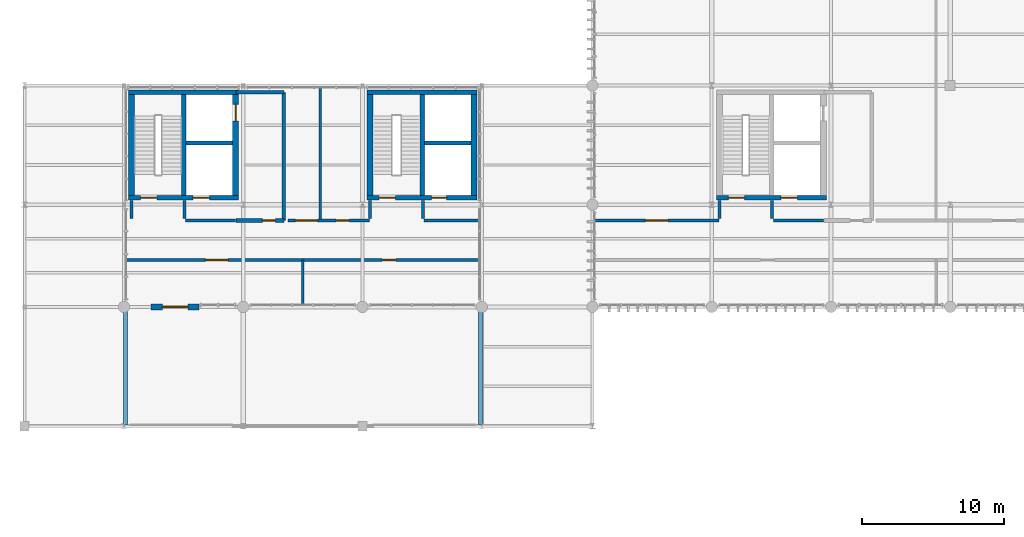
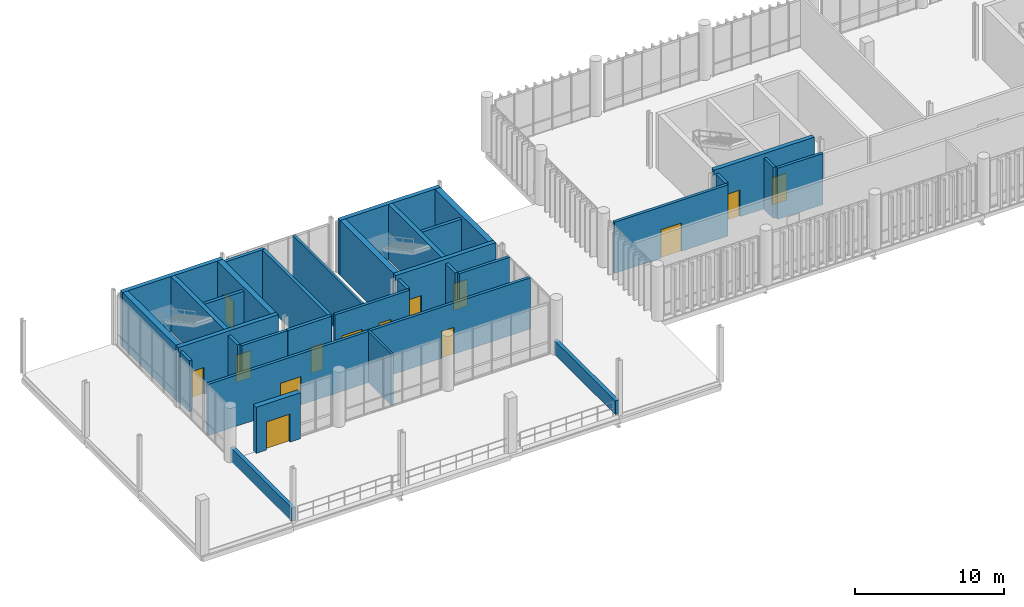
# One storey, part 57 of 68: 33 walls, 14 doors, 14 openings.
"""IFC4 building model written with IfcOpenShell, lengths in metres."""

from ifc_helpers import new_model, si_unit, direction, frame, frame_2d, origin_with_axes, place, context, subcontext, project, spatial, rectangle, extrude, material, layer, layer_set, type_object, element, fill, save


model = new_model("IFC4")

# Units and contexts
model_context = context("Model", 3, precision=1e-05, world=origin_with_axes(), true_north=direction((0.0, 1.0)))
body_context = subcontext(model_context, "Body", "Model", "MODEL_VIEW")
ifc_project = project(units=[si_unit("LENGTHUNIT", "METRE"), si_unit("AREAUNIT", "SQUARE_METRE"), si_unit("VOLUMEUNIT", "CUBIC_METRE"), si_unit("PLANEANGLEUNIT", "RADIAN"), si_unit("MASSUNIT", "GRAM", prefix="KILO"), si_unit("THERMODYNAMICTEMPERATUREUNIT", "KELVIN")], contexts=[model_context])

# Site, building, storey
site_placement = place(None, origin_with_axes())
site = spatial("IfcSite", under=ifc_project, at=site_placement, CompositionType="ELEMENT")
building_placement = place(site_placement, origin_with_axes())
building = spatial("IfcBuilding", under=site, at=building_placement, Name="Montbau Bow Law Courts", CompositionType="ELEMENT")
storey_placement = place(building_placement, frame((0.0, 0.0, 20.4), z_axis=(0.0, 0.0, 1.0), x_axis=(1.0, 0.0, 0.0)))
storey = spatial("IfcBuildingStorey", under=building, at=storey_placement, Name="L04", CompositionType="ELEMENT", Elevation=20.4)

# Wall, opening, door
ifc_material_1 = material(Name="Concrete CSA A23.1 f'c 45 MPa", Category="concrete")
ifc_layer_1 = layer(ifc_material_1, 0.42, Name="Shear Wall", Category="concrete")
ifc_layer_set_1 = layer_set([ifc_layer_1], Name="Concrete CSA A23.1 f'c 45 MPa")
wall_type_1 = type_object("IfcWallType", Name="W-COR-03", PredefinedType="SHEAR", material=ifc_layer_set_1)
wall_1_placement = place(None, frame((21.66, 46.84, 20.4), z_axis=(0.0, 0.0, 1.0), x_axis=(0.0, 1.0, 0.0)))
wall_1 = element("IfcWall", 1, at=wall_1_placement, inside=storey, type_object=wall_type_1, Name="WC-L04-0048:wal_0115", PredefinedType="SHEAR", context=body_context, shape_type="SweptSolid", body=[
    extrude(rectangle(XDim=7.119999999999997, YDim=0.42, at=frame_2d((3.56, 0.0), x_axis=(1.0, 0.0))), origin_with_axes(), (0.0, 0.0, 1.0), 4.5),
])
opening_1_placement = place(None, frame((21.66, 52.69, 20.4), z_axis=(0.0, 0.0, 1.0), x_axis=(0.0, 1.0, 0.0)))
opening_1 = element("IfcOpeningElement", 2, at=opening_1_placement, cuts=wall_1, Name="OP-LD-L04-EL-P2", PredefinedType="OPENING", context=body_context, shape_type="SweptSolid", body=[
    extrude(rectangle(XDim=1.16, YDim=2.2, at=frame_2d((0.0, 1.1), x_axis=(1.0, 0.0))), frame((0.0, 0.22, 0.0), z_axis=(0.0, -1.0, 0.0), x_axis=(1.0, 0.0, 0.0)), (0.0, 0.0, 1.0), 0.44),
])
ifc_material_2 = material(Name="Brushed Stainless Steel Elevator Landing Door", Category="steel")
door_type_1 = type_object("IfcDoorType", Name="LD-PUB-01", OperationType="NOTDEFINED", ParameterTakesPrecedence=False, PredefinedType="DOOR", material=ifc_material_2)
door_1_placement = place(None, frame((21.66, 52.69, 20.4), z_axis=(0.0, 0.0, 1.0), x_axis=(0.0, 1.0, 0.0)))
door_1 = element("IfcDoor", 3, at=door_1_placement, inside=storey, type_object=door_type_1, Name="LD-L04-EL-P2:dor_0059", OperationType="SLIDING_TO_LEFT", OverallHeight=2.2, OverallWidth=1.16, PredefinedType="DOOR", context=body_context, shape_type="SweptSolid", body=[
    extrude(rectangle(XDim=1.16, YDim=2.2, at=frame_2d((0.0, 1.1), x_axis=(1.0, 0.0))), frame((0.0, 0.04, 0.0), z_axis=(0.0, -1.0, 0.0), x_axis=(1.0, 0.0, 0.0)), (0.0, 0.0, 1.0), 0.08),
])
fill(opening_1, door_1)

# Walls
for number, where, z_axis, x_axis, name in (
    (4, (14.34, 53.96, 20.4), (0.0, 0.0, 1.0), (0.0, -1.0, 0.0), "WC-L04-0049:wal_0116"),
    (5, (38.46, 46.84, 20.4), (0.0, 0.0, 1.0), (0.0, 1.0, 0.0), "WC-L04-0114:wal_0181"),
    (6, (31.14, 53.96, 20.4), (0.0, 0.0, 1.0), (0.0, -1.0, 0.0), "WC-L04-0115:wal_0182"),
):
    element("IfcWall", number, at=place(None, frame(where, z_axis=z_axis, x_axis=x_axis)), inside=storey, type_object=wall_type_1, Name=name, PredefinedType="SHEAR", context=body_context, shape_type="SweptSolid", body=[
        extrude(rectangle(XDim=7.119999999999997, YDim=0.42, at=frame_2d((3.56, 0.0), x_axis=(1.0, 0.0))), origin_with_axes(), (0.0, 0.0, 1.0), 4.5),
    ])

# Wall, openings, doors
ifc_layer_2 = layer(ifc_material_1, 0.32, Name="Shear Wall", Category="concrete")
ifc_layer_set_2 = layer_set([ifc_layer_2], Name="Concrete CSA A23.1 f'c 45 MPa")
wall_type_2 = type_object("IfcWallType", Name="W-COR-05", PredefinedType="SHEAR", material=ifc_layer_set_2)
wall_2_placement = place(None, frame((14.13, 46.68, 20.4), z_axis=(0.0, 0.0, 1.0), x_axis=(1.0, 0.0, 0.0)))
wall_2 = element("IfcWall", 7, at=wall_2_placement, inside=storey, type_object=wall_type_2, Name="WC-L04-0046:wal_0113", PredefinedType="SHEAR", context=body_context, shape_type="SweptSolid", body=[
    extrude(rectangle(XDim=7.74, YDim=0.32, at=frame_2d((3.87, 0.0), x_axis=(1.0, 0.0))), origin_with_axes(), (0.0, 0.0, 1.0), 4.5),
])
opening_2_placement = place(None, frame((15.55, 46.68, 20.4), z_axis=(0.0, 0.0, 1.0), x_axis=(1.0, 0.0, 0.0)))
opening_2 = element("IfcOpeningElement", 8, at=opening_2_placement, cuts=wall_2, Name="OP-D-L04-ST-P1", PredefinedType="OPENING", context=body_context, shape_type="SweptSolid", body=[
    extrude(rectangle(XDim=1.14, YDim=2.18, at=frame_2d((0.0, 1.09), x_axis=(1.0, 0.0))), frame((0.0, 0.17, 0.0), z_axis=(0.0, -1.0, 0.0), x_axis=(1.0, 0.0, 0.0)), (0.0, 0.0, 1.0), 0.34),
])
opening_3_placement = place(None, frame((19.25, 46.68, 20.4), z_axis=(0.0, 0.0, 1.0), x_axis=(1.0, 0.0, 0.0)))
opening_3 = element("IfcOpeningElement", 9, at=opening_3_placement, cuts=wall_2, Name="OP-LD-L04-EL-P1", PredefinedType="OPENING", context=body_context, shape_type="SweptSolid", body=[
    extrude(rectangle(XDim=1.16, YDim=2.2, at=frame_2d((0.0, 1.1), x_axis=(1.0, 0.0))), frame((0.0, 0.17, 0.0), z_axis=(0.0, -1.0, 0.0), x_axis=(1.0, 0.0, 0.0)), (0.0, 0.0, 1.0), 0.34),
])
ifc_material_3 = material(Name="1.5 h Fire-Rated Hollow-Metal Exit Stair Door", Category="steel")
door_type_2 = type_object("IfcDoorType", Name="D-ST-01", OperationType="NOTDEFINED", ParameterTakesPrecedence=False, PredefinedType="DOOR", material=ifc_material_3)
door_2_placement = place(None, frame((15.55, 46.68, 20.4), z_axis=(0.0, 0.0, 1.0), x_axis=(-1.0, 0.0, 0.0)))
door_2 = element("IfcDoor", 10, at=door_2_placement, inside=storey, type_object=door_type_2, Name="D-L04-ST-P1:dor_0057", OperationType="SINGLE_SWING_RIGHT", OverallHeight=2.18, OverallWidth=1.14, PredefinedType="DOOR", context=body_context, shape_type="SweptSolid", body=[
    extrude(rectangle(XDim=1.14, YDim=2.18, at=frame_2d((0.0, 1.09), x_axis=(1.0, 0.0))), frame((0.0, 0.04, 0.0), z_axis=(0.0, -1.0, 0.0), x_axis=(1.0, 0.0, 0.0)), (0.0, 0.0, 1.0), 0.08),
])
fill(opening_2, door_2)
door_3_placement = place(None, frame((19.25, 46.68, 20.4), z_axis=(0.0, 0.0, 1.0), x_axis=(-1.0, 0.0, 0.0)))
door_3 = element("IfcDoor", 11, at=door_3_placement, inside=storey, type_object=door_type_1, Name="LD-L04-EL-P1:dor_0058", OperationType="SLIDING_TO_LEFT", OverallHeight=2.2, OverallWidth=1.16, PredefinedType="DOOR", context=body_context, shape_type="SweptSolid", body=[
    extrude(rectangle(XDim=1.16, YDim=2.2, at=frame_2d((0.0, 1.1), x_axis=(1.0, 0.0))), frame((0.0, 0.04, 0.0), z_axis=(0.0, -1.0, 0.0), x_axis=(1.0, 0.0, 0.0)), (0.0, 0.0, 1.0), 0.08),
])
fill(opening_3, door_3)

# Walls
wall_3_placement = place(None, frame((21.87, 54.12, 20.4), z_axis=(0.0, 0.0, 1.0), x_axis=(-1.0, 0.0, 0.0)))
element("IfcWall", 12, at=wall_3_placement, inside=storey, type_object=wall_type_2, Name="WC-L04-0047:wal_0114", PredefinedType="SHEAR", context=body_context, shape_type="SweptSolid", body=[
    extrude(rectangle(XDim=7.74, YDim=0.32, at=frame_2d((3.87, 0.0), x_axis=(1.0, 0.0))), origin_with_axes(), (0.0, 0.0, 1.0), 4.5),
])
wall_4_placement = place(None, frame((18.02, 46.84, 20.4), z_axis=(0.0, 0.0, 1.0), x_axis=(0.0, 1.0, 0.0)))
element("IfcWall", 13, at=wall_4_placement, inside=storey, type_object=wall_type_2, Name="WS-L04-0050:wal_0117", PredefinedType="SHEAR", context=body_context, shape_type="SweptSolid", body=[
    extrude(rectangle(XDim=7.119999999999997, YDim=0.32, at=frame_2d((3.56, 0.0), x_axis=(1.0, 0.0))), origin_with_axes(), (0.0, 0.0, 1.0), 4.5),
])

# Wall, openings, doors
wall_5_placement = place(None, frame((30.93, 46.68, 20.4), z_axis=(0.0, 0.0, 1.0), x_axis=(1.0, 0.0, 0.0)))
wall_5 = element("IfcWall", 14, at=wall_5_placement, inside=storey, type_object=wall_type_2, Name="WC-L04-0112:wal_0179", PredefinedType="SHEAR", context=body_context, shape_type="SweptSolid", body=[
    extrude(rectangle(XDim=7.740000000000002, YDim=0.32, at=frame_2d((3.87, 0.0), x_axis=(1.0, 0.0))), origin_with_axes(), (0.0, 0.0, 1.0), 4.5),
])
opening_4_placement = place(None, frame((32.35, 46.68, 20.4), z_axis=(0.0, 0.0, 1.0), x_axis=(1.0, 0.0, 0.0)))
opening_4 = element("IfcOpeningElement", 15, at=opening_4_placement, cuts=wall_5, Name="OP-D-L04-ST-J1", PredefinedType="OPENING", context=body_context, shape_type="SweptSolid", body=[
    extrude(rectangle(XDim=1.14, YDim=2.18, at=frame_2d((0.0, 1.09), x_axis=(1.0, 0.0))), frame((0.0, 0.17, 0.0), z_axis=(0.0, -1.0, 0.0), x_axis=(1.0, 0.0, 0.0)), (0.0, 0.0, 1.0), 0.34),
])
opening_5_placement = place(None, frame((36.0, 46.68, 20.4), z_axis=(0.0, 0.0, 1.0), x_axis=(1.0, 0.0, 0.0)))
opening_5 = element("IfcOpeningElement", 16, at=opening_5_placement, cuts=wall_5, Name="OP-LD-L04-EL-J1", PredefinedType="OPENING", context=body_context, shape_type="SweptSolid", body=[
    extrude(rectangle(XDim=1.06, YDim=2.16, at=frame_2d((0.0, 1.08), x_axis=(1.0, 0.0))), frame((0.0, 0.17, 0.0), z_axis=(0.0, -1.0, 0.0), x_axis=(1.0, 0.0, 0.0)), (0.0, 0.0, 1.0), 0.34),
])
door_4_placement = place(None, frame((32.35, 46.68, 20.4), z_axis=(0.0, 0.0, 1.0), x_axis=(-1.0, 0.0, 0.0)))
door_4 = element("IfcDoor", 17, at=door_4_placement, inside=storey, type_object=door_type_2, Name="D-L04-ST-J1:dor_0083", OperationType="SINGLE_SWING_RIGHT", OverallHeight=2.18, OverallWidth=1.14, PredefinedType="DOOR", context=body_context, shape_type="SweptSolid", body=[
    extrude(rectangle(XDim=1.14, YDim=2.18, at=frame_2d((0.0, 1.09), x_axis=(1.0, 0.0))), frame((0.0, 0.04, 0.0), z_axis=(0.0, -1.0, 0.0), x_axis=(1.0, 0.0, 0.0)), (0.0, 0.0, 1.0), 0.08),
])
fill(opening_4, door_4)
ifc_material_4 = material(Name="Bronze-Clad Judicial Elevator Landing Door", Category="steel")
door_type_3 = type_object("IfcDoorType", Name="LD-JUD-01", OperationType="NOTDEFINED", ParameterTakesPrecedence=False, PredefinedType="DOOR", material=ifc_material_4)
door_5_placement = place(None, frame((36.0, 46.68, 20.4), z_axis=(0.0, 0.0, 1.0), x_axis=(-1.0, 0.0, 0.0)))
door_5 = element("IfcDoor", 18, at=door_5_placement, inside=storey, type_object=door_type_3, Name="LD-L04-EL-J1:dor_0084", OperationType="SLIDING_TO_LEFT", OverallHeight=2.16, OverallWidth=1.06, PredefinedType="DOOR", context=body_context, shape_type="SweptSolid", body=[
    extrude(rectangle(XDim=1.06, YDim=2.16, at=frame_2d((0.0, 1.08), x_axis=(1.0, 0.0))), frame((0.0, 0.04, 0.0), z_axis=(0.0, -1.0, 0.0), x_axis=(1.0, 0.0, 0.0)), (0.0, 0.0, 1.0), 0.08),
])
fill(opening_5, door_5)

# Walls
wall_6_placement = place(None, frame((38.67, 54.12, 20.4), z_axis=(0.0, 0.0, 1.0), x_axis=(-1.0, 0.0, 0.0)))
element("IfcWall", 19, at=wall_6_placement, inside=storey, type_object=wall_type_2, Name="WC-L04-0113:wal_0180", PredefinedType="SHEAR", context=body_context, shape_type="SweptSolid", body=[
    extrude(rectangle(XDim=7.740000000000002, YDim=0.32, at=frame_2d((3.87, 0.0), x_axis=(1.0, 0.0))), origin_with_axes(), (0.0, 0.0, 1.0), 4.5),
])
wall_7_placement = place(None, frame((34.82, 46.84, 20.4), z_axis=(0.0, 0.0, 1.0), x_axis=(0.0, 1.0, 0.0)))
element("IfcWall", 20, at=wall_7_placement, inside=storey, type_object=wall_type_2, Name="WS-L04-0116:wal_0183", PredefinedType="SHEAR", context=body_context, shape_type="SweptSolid", body=[
    extrude(rectangle(XDim=7.119999999999997, YDim=0.32, at=frame_2d((3.56, 0.0), x_axis=(1.0, 0.0))), origin_with_axes(), (0.0, 0.0, 1.0), 4.5),
])

# Wall, openings, doors
wall_8_placement = place(None, frame((55.53, 46.68, 20.4), z_axis=(0.0, 0.0, 1.0), x_axis=(1.0, 0.0, 0.0)))
wall_8 = element("IfcWall", 21, at=wall_8_placement, inside=storey, type_object=wall_type_2, Name="WC-L04-0178:wal_0245", PredefinedType="SHEAR", context=body_context, shape_type="SweptSolid", body=[
    extrude(rectangle(XDim=7.740000000000002, YDim=0.32, at=frame_2d((3.87, 0.0), x_axis=(1.0, 0.0))), origin_with_axes(), (0.0, 0.0, 1.0), 4.5),
])
opening_6_placement = place(None, frame((56.95, 46.68, 20.4), z_axis=(0.0, 0.0, 1.0), x_axis=(1.0, 0.0, 0.0)))
opening_6 = element("IfcOpeningElement", 22, at=opening_6_placement, cuts=wall_8, Name="OP-D-L04-ST-P4", PredefinedType="OPENING", context=body_context, shape_type="SweptSolid", body=[
    extrude(rectangle(XDim=1.14, YDim=2.18, at=frame_2d((0.0, 1.09), x_axis=(1.0, 0.0))), frame((0.0, 0.17, 0.0), z_axis=(0.0, -1.0, 0.0), x_axis=(1.0, 0.0, 0.0)), (0.0, 0.0, 1.0), 0.34),
])
opening_7_placement = place(None, frame((60.65, 46.68, 20.4), z_axis=(0.0, 0.0, 1.0), x_axis=(1.0, 0.0, 0.0)))
opening_7 = element("IfcOpeningElement", 23, at=opening_7_placement, cuts=wall_8, Name="OP-LD-L04-EL-P3", PredefinedType="OPENING", context=body_context, shape_type="SweptSolid", body=[
    extrude(rectangle(XDim=1.16, YDim=2.2, at=frame_2d((0.0, 1.1), x_axis=(1.0, 0.0))), frame((0.0, 0.17, 0.0), z_axis=(0.0, -1.0, 0.0), x_axis=(1.0, 0.0, 0.0)), (0.0, 0.0, 1.0), 0.34),
])
door_6_placement = place(None, frame((56.95, 46.68, 20.4), z_axis=(0.0, 0.0, 1.0), x_axis=(-1.0, 0.0, 0.0)))
door_6 = element("IfcDoor", 24, at=door_6_placement, inside=storey, type_object=door_type_2, Name="D-L04-ST-P4:dor_0109", OperationType="SINGLE_SWING_RIGHT", OverallHeight=2.18, OverallWidth=1.14, PredefinedType="DOOR", context=body_context, shape_type="SweptSolid", body=[
    extrude(rectangle(XDim=1.14, YDim=2.18, at=frame_2d((0.0, 1.09), x_axis=(1.0, 0.0))), frame((0.0, 0.04, 0.0), z_axis=(0.0, -1.0, 0.0), x_axis=(1.0, 0.0, 0.0)), (0.0, 0.0, 1.0), 0.08),
])
fill(opening_6, door_6)
door_7_placement = place(None, frame((60.65, 46.68, 20.4), z_axis=(0.0, 0.0, 1.0), x_axis=(-1.0, 0.0, 0.0)))
door_7 = element("IfcDoor", 25, at=door_7_placement, inside=storey, type_object=door_type_1, Name="LD-L04-EL-P3:dor_0110", OperationType="SLIDING_TO_LEFT", OverallHeight=2.2, OverallWidth=1.16, PredefinedType="DOOR", context=body_context, shape_type="SweptSolid", body=[
    extrude(rectangle(XDim=1.16, YDim=2.2, at=frame_2d((0.0, 1.1), x_axis=(1.0, 0.0))), frame((0.0, 0.04, 0.0), z_axis=(0.0, -1.0, 0.0), x_axis=(1.0, 0.0, 0.0)), (0.0, 0.0, 1.0), 0.08),
])
fill(opening_7, door_7)

# Wall, opening, door
ifc_material_5 = material(Name="Polychrome Glazed Ceramic Rainscreen Insulated Wall", Category="masonry")
ifc_layer_3 = layer(ifc_material_5, 0.4, Name="Solid Wall", Category="masonry")
ifc_layer_set_3 = layer_set([ifc_layer_3], Name="Polychrome Glazed Ceramic Rainscreen Insulated Wall")
wall_type_3 = type_object("IfcWallType", Name="W-EXT-04", PredefinedType="SOLIDWALL", material=ifc_layer_set_3)
wall_9_placement = place(None, frame((15.7, 39.0, 20.4), z_axis=(0.0, 0.0, 1.0), x_axis=(1.0, 0.0, 0.0)))
wall_9 = element("IfcWall", 26, at=wall_9_placement, inside=storey, type_object=wall_type_3, Name="WE-L04-034:wal_0051", PredefinedType="SOLIDWALL", context=body_context, shape_type="SweptSolid", body=[
    extrude(rectangle(XDim=3.400000000000002, YDim=0.4, at=frame_2d((1.7, 0.0), x_axis=(1.0, 0.0))), origin_with_axes(), (0.0, 0.0, 1.0), 3.764),
])
opening_8_placement = place(None, frame((17.4, 39.0, 20.4), z_axis=(0.0, 0.0, 1.0), x_axis=(1.0, 0.0, 0.0)))
opening_8 = element("IfcOpeningElement", 27, at=opening_8_placement, cuts=wall_9, Name="OP-D-TER-03", PredefinedType="OPENING", context=body_context, shape_type="SweptSolid", body=[
    extrude(rectangle(XDim=1.8, YDim=2.3, at=frame_2d((0.0, 1.15), x_axis=(1.0, 0.0))), frame((0.0, 0.21, 0.0), z_axis=(0.0, -1.0, 0.0), x_axis=(1.0, 0.0, 0.0)), (0.0, 0.0, 1.0), 0.42),
])
ifc_material_6 = material(Name="Thermally Broken Glazed Roof-Garden Double Door", Category="aluminium")
door_type_4 = type_object("IfcDoorType", Name="D-EXT-07", OperationType="NOTDEFINED", ParameterTakesPrecedence=False, PredefinedType="DOOR", material=ifc_material_6)
door_8_placement = place(None, frame((17.4, 39.0, 20.4), z_axis=(0.0, 0.0, 1.0), x_axis=(1.0, 0.0, 0.0)))
door_8 = element("IfcDoor", 28, at=door_8_placement, inside=storey, type_object=door_type_4, Name="D-TER-03:dor_0026", OperationType="DOUBLE_DOOR_SINGLE_SWING", OverallHeight=2.3, OverallWidth=1.8, PredefinedType="DOOR", context=body_context, shape_type="SweptSolid", body=[
    extrude(rectangle(XDim=1.8, YDim=2.3, at=frame_2d((0.0, 1.15), x_axis=(1.0, 0.0))), frame((0.0, 0.04, 0.0), z_axis=(0.0, -1.0, 0.0), x_axis=(1.0, 0.0, 0.0)), (0.0, 0.0, 1.0), 0.08),
])
fill(opening_8, door_8)

# Walls
ifc_material_7 = material(Name="Insulated Terracotta-Coping Terrace Parapet Assembly", Category="masonry")
ifc_layer_4 = layer(ifc_material_7, 0.28, Name="Parapet", Category="masonry")
ifc_layer_set_4 = layer_set([ifc_layer_4], Name="Insulated Terracotta-Coping Terrace Parapet Assembly")
wall_type_4 = type_object("IfcWallType", Name="W-PAR-02", PredefinedType="PARAPET", material=ifc_layer_set_4)
for number, where, z_axis, x_axis, name in (
    (29, (13.9, 30.7, 20.4), (0.0, 0.0, 1.0), (0.0, 1.0, 0.0), "PAR-TER-L04-V2-1:par_0002"),
    (30, (38.9, 38.896, 20.4), (0.0, 0.0, 1.0), (0.0, -1.0, 0.0), "PAR-TER-L04-V2-3:par_0003"),
):
    element("IfcWall", number, at=place(None, frame(where, z_axis=z_axis, x_axis=x_axis)), inside=storey, type_object=wall_type_4, Name=name, PredefinedType="PARAPET", context=body_context, shape_type="SweptSolid", body=[
        extrude(rectangle(XDim=8.196000000000002, YDim=0.28, at=frame_2d((4.098, 0.0), x_axis=(1.0, 0.0))), origin_with_axes(), (0.0, 0.0, 1.0), 1.12),
    ])
ifc_material_8 = material(Name="2 h Shaft and Exit-Passage Fire Separation Partition", Category="gypsum")
ifc_layer_5 = layer(ifc_material_8, 0.25, Name="Partition", Category="gypsum")
ifc_layer_set_5 = layer_set([ifc_layer_5], Name="2 h Shaft and Exit-Passage Fire Separation Partition")
wall_type_5 = type_object("IfcWallType", Name="W-PRT-01", PredefinedType="PARTITIONING", material=ifc_layer_set_5)
wall_10_placement = place(None, frame((18.18, 50.549, 20.4), z_axis=(0.0, 0.0, 1.0), x_axis=(1.0, 0.0, 0.0)))
element("IfcWall", 31, at=wall_10_placement, inside=storey, type_object=wall_type_5, Name="WS-L04-0051:wal_0118", PredefinedType="PARTITIONING", context=body_context, shape_type="SweptSolid", body=[
    extrude(rectangle(XDim=3.2699999999999996, YDim=0.25, at=frame_2d((1.635, 0.0), x_axis=(1.0, 0.0))), origin_with_axes(), (0.0, 0.0, 1.0), 4.18),
])
wall_11_placement = place(None, frame((25.06, 45.09, 20.4), z_axis=(0.0, 0.0, 1.0), x_axis=(0.0, 1.0, 0.0)))
element("IfcWall", 32, at=wall_11_placement, inside=storey, type_object=wall_type_5, Name="WEL-L04-0052:wal_0119", PredefinedType="PARTITIONING", context=body_context, shape_type="SweptSolid", body=[
    extrude(rectangle(XDim=9.029999999999994, YDim=0.25, at=frame_2d((4.515, 0.0), x_axis=(1.0, 0.0))), origin_with_axes(), (0.0, 0.0, 1.0), 4.18),
])
wall_12_placement = place(None, frame((21.7, 54.12, 20.4), z_axis=(0.0, 0.0, 1.0), x_axis=(1.0, 0.0, 0.0)))
element("IfcWall", 33, at=wall_12_placement, inside=storey, type_object=wall_type_5, Name="WEL-L04-0053:wal_0120", PredefinedType="PARTITIONING", context=body_context, shape_type="SweptSolid", body=[
    extrude(rectangle(XDim=3.3599999999999994, YDim=0.25, at=frame_2d((1.68, 0.0), x_axis=(1.0, 0.0))), origin_with_axes(), (0.0, 0.0, 1.0), 4.18),
])

# Wall, opening, door
wall_13_placement = place(None, frame((21.7, 45.09, 20.4), z_axis=(0.0, 0.0, 1.0), x_axis=(1.0, 0.0, 0.0)))
wall_13 = element("IfcWall", 34, at=wall_13_placement, inside=storey, type_object=wall_type_5, Name="WEL-L04-0054:wal_0121", PredefinedType="PARTITIONING", context=body_context, shape_type="SweptSolid", body=[
    extrude(rectangle(XDim=3.3599999999999994, YDim=0.25, at=frame_2d((1.68, 0.0), x_axis=(1.0, 0.0))), origin_with_axes(), (0.0, 0.0, 1.0), 4.18),
])
opening_9_placement = place(None, frame((24.005, 45.09, 20.4), z_axis=(0.0, 0.0, 1.0), x_axis=(1.0, 0.0, 0.0)))
opening_9 = element("IfcOpeningElement", 35, at=opening_9_placement, cuts=wall_13, Name="OP-D-L04-ELB-CORE-W1", PredefinedType="OPENING", context=body_context, shape_type="SweptSolid", body=[
    extrude(rectangle(XDim=0.91, YDim=2.12, at=frame_2d((0.0, 1.06), x_axis=(1.0, 0.0))), frame((0.0, 0.135, 0.0), z_axis=(0.0, -1.0, 0.0), x_axis=(1.0, 0.0, 0.0)), (0.0, 0.0, 1.0), 0.27),
])
ifc_material_9 = material(Name="Public and Judicial Washroom Solid-Core Door", Category="wood")
door_type_5 = type_object("IfcDoorType", Name="D-WC-02", OperationType="NOTDEFINED", ParameterTakesPrecedence=False, PredefinedType="DOOR", material=ifc_material_9)
door_9_placement = place(None, frame((24.005, 45.09, 20.4), z_axis=(0.0, 0.0, 1.0), x_axis=(1.0, 0.0, 0.0)))
door_9 = element("IfcDoor", 36, at=door_9_placement, inside=storey, type_object=door_type_5, Name="D-L04-ELB-CORE-W1:dor_0060", OperationType="SINGLE_SWING_LEFT", OverallHeight=2.12, OverallWidth=0.91, PredefinedType="DOOR", context=body_context, shape_type="SweptSolid", body=[
    extrude(rectangle(XDim=0.91, YDim=2.12, at=frame_2d((0.0, 1.06), x_axis=(1.0, 0.0))), frame((0.0, 0.04, 0.0), z_axis=(0.0, -1.0, 0.0), x_axis=(1.0, 0.0, 0.0)), (0.0, 0.0, 1.0), 0.08),
])
fill(opening_9, door_9)

# Walls
wall_14_placement = place(None, frame((34.98, 50.549, 20.4), z_axis=(0.0, 0.0, 1.0), x_axis=(1.0, 0.0, 0.0)))
element("IfcWall", 37, at=wall_14_placement, inside=storey, type_object=wall_type_5, Name="WS-L04-0117:wal_0184", PredefinedType="PARTITIONING", context=body_context, shape_type="SweptSolid", body=[
    extrude(rectangle(XDim=3.270000000000003, YDim=0.25, at=frame_2d((1.635, 0.0), x_axis=(1.0, 0.0))), origin_with_axes(), (0.0, 0.0, 1.0), 4.18),
])
ifc_material_10 = material(Name="STC-60 High-Acoustic Courtroom Perimeter Partition", Category="gypsum")
ifc_layer_6 = layer(ifc_material_10, 0.22, Name="Partition", Category="gypsum")
ifc_layer_set_6 = layer_set([ifc_layer_6], Name="STC-60 High-Acoustic Courtroom Perimeter Partition")
wall_type_6 = type_object("IfcWallType", Name="W-PRT-02", PredefinedType="PARTITIONING", material=ifc_layer_set_6)
for number, where, z_axis, x_axis, name in (
    (38, (14.34, 45.22, 20.4), (0.0, 0.0, 1.0), (0.0, 1.0, 0.0), "WCX-L04-0814:wal_0881"),
    (39, (18.05, 45.22, 20.4), (0.0, 0.0, 1.0), (0.0, 1.0, 0.0), "WCX-L04-0815:wal_0882"),
    (40, (31.14, 45.22, 20.4), (0.0, 0.0, 1.0), (0.0, 1.0, 0.0), "WCX-L04-0816:wal_0883"),
    (41, (34.85, 45.22, 20.4), (0.0, 0.0, 1.0), (0.0, 1.0, 0.0), "WCX-L04-0817:wal_0884"),
):
    element("IfcWall", number, at=place(None, frame(where, z_axis=z_axis, x_axis=x_axis)), inside=storey, type_object=wall_type_6, Name=name, PredefinedType="PARTITIONING", context=body_context, shape_type="SweptSolid", body=[
        extrude(rectangle(XDim=1.259999999999998, YDim=0.22, at=frame_2d((0.63, 0.0), x_axis=(1.0, 0.0))), origin_with_axes(), (0.0, 0.0, 1.0), 4.18),
    ])
wall_15_placement = place(None, frame((18.15, 45.09, 20.4), z_axis=(0.0, 0.0, 1.0), x_axis=(1.0, 0.0, 0.0)))
element("IfcWall", 42, at=wall_15_placement, inside=storey, type_object=wall_type_6, Name="WP-L04-0818:wal_0885", PredefinedType="PARTITIONING", context=body_context, shape_type="SweptSolid", body=[
    extrude(rectangle(XDim=3.5100000000000016, YDim=0.22, at=frame_2d((1.755, 0.0), x_axis=(1.0, 0.0))), origin_with_axes(), (0.0, 0.0, 1.0), 4.18),
])

# Wall, openings, doors
wall_16_placement = place(None, frame((25.355, 45.09, 20.4), z_axis=(0.0, 0.0, 1.0), x_axis=(1.0, 0.0, 0.0)))
wall_16 = element("IfcWall", 43, at=wall_16_placement, inside=storey, type_object=wall_type_6, Name="WP-L04-0819:wal_0886", PredefinedType="PARTITIONING", context=body_context, shape_type="SweptSolid", body=[
    extrude(rectangle(XDim=5.745000000000001, YDim=0.22, at=frame_2d((2.8725, 0.0), x_axis=(1.0, 0.0))), origin_with_axes(), (0.0, 0.0, 1.0), 4.18),
])
opening_10_placement = place(None, frame((26.658, 45.09, 20.4), z_axis=(0.0, 0.0, 1.0), x_axis=(1.0, 0.0, 0.0)))
opening_10 = element("IfcOpeningElement", 44, at=opening_10_placement, cuts=wall_16, Name="OP-D-L04-342", PredefinedType="OPENING", context=body_context, shape_type="SweptSolid", body=[
    extrude(rectangle(XDim=1.56, YDim=2.28, at=frame_2d((0.0, 1.14), x_axis=(1.0, 0.0))), frame((0.0, 0.12, 0.0), z_axis=(0.0, -1.0, 0.0), x_axis=(1.0, 0.0, 0.0)), (0.0, 0.0, 1.0), 0.24),
])
opening_11_placement = place(None, frame((29.207, 45.09, 20.4), z_axis=(0.0, 0.0, 1.0), x_axis=(1.0, 0.0, 0.0)))
opening_11 = element("IfcOpeningElement", 45, at=opening_11_placement, cuts=wall_16, Name="OP-D-L04-343", PredefinedType="OPENING", context=body_context, shape_type="SweptSolid", body=[
    extrude(rectangle(XDim=0.94, YDim=2.3, at=frame_2d((0.0, 1.15), x_axis=(1.0, 0.0))), frame((0.0, 0.12, 0.0), z_axis=(0.0, -1.0, 0.0), x_axis=(1.0, 0.0, 0.0)), (0.0, 0.0, 1.0), 0.24),
])
ifc_material_11 = material(Name="Appellate Justice Suite Solid White-Oak Door", Category="wood")
door_type_6 = type_object("IfcDoorType", Name="D-CHM-02", OperationType="NOTDEFINED", ParameterTakesPrecedence=False, PredefinedType="DOOR", material=ifc_material_11)
door_10_placement = place(None, frame((29.207, 45.09, 20.4), z_axis=(0.0, 0.0, 1.0), x_axis=(-1.0, 0.0, 0.0)))
door_10 = element("IfcDoor", 46, at=door_10_placement, inside=storey, type_object=door_type_6, Name="D-L04-343:dor_0378", OperationType="SINGLE_SWING_RIGHT", OverallHeight=2.3, OverallWidth=0.94, PredefinedType="DOOR", context=body_context, shape_type="SweptSolid", body=[
    extrude(rectangle(XDim=0.94, YDim=2.3, at=frame_2d((0.0, 1.15), x_axis=(1.0, 0.0))), frame((0.0, 0.04, 0.0), z_axis=(0.0, -1.0, 0.0), x_axis=(1.0, 0.0, 0.0)), (0.0, 0.0, 1.0), 0.08),
])
fill(opening_11, door_10)
ifc_material_12 = material(Name="Case Registry Counter Suite Double Door", Category="wood")
door_type_7 = type_object("IfcDoorType", Name="D-REG-01", OperationType="NOTDEFINED", ParameterTakesPrecedence=False, PredefinedType="DOOR", material=ifc_material_12)
door_11_placement = place(None, frame((26.658, 45.09, 20.4), z_axis=(0.0, 0.0, 1.0), x_axis=(-1.0, 0.0, 0.0)))
door_11 = element("IfcDoor", 47, at=door_11_placement, inside=storey, type_object=door_type_7, Name="D-L04-342:dor_0377", OperationType="DOUBLE_DOOR_SINGLE_SWING", OverallHeight=2.28, OverallWidth=1.56, PredefinedType="DOOR", context=body_context, shape_type="SweptSolid", body=[
    extrude(rectangle(XDim=1.56, YDim=2.28, at=frame_2d((0.0, 1.14), x_axis=(1.0, 0.0))), frame((0.0, 0.04, 0.0), z_axis=(0.0, -1.0, 0.0), x_axis=(1.0, 0.0, 0.0)), (0.0, 0.0, 1.0), 0.08),
])
fill(opening_10, door_11)

# Wall
wall_17_placement = place(None, frame((34.95, 45.09, 20.4), z_axis=(0.0, 0.0, 1.0), x_axis=(1.0, 0.0, 0.0)))
element("IfcWall", 48, at=wall_17_placement, inside=storey, type_object=wall_type_6, Name="WP-L04-0820:wal_0887", PredefinedType="PARTITIONING", context=body_context, shape_type="SweptSolid", body=[
    extrude(rectangle(XDim=3.9099999999999966, YDim=0.22, at=frame_2d((1.955, 0.0), x_axis=(1.0, 0.0))), origin_with_axes(), (0.0, 0.0, 1.0), 4.18),
])

# Wall, openings, doors
wall_18_placement = place(None, frame((13.94, 42.31, 20.4), z_axis=(0.0, 0.0, 1.0), x_axis=(1.0, 0.0, 0.0)))
wall_18 = element("IfcWall", 49, at=wall_18_placement, inside=storey, type_object=wall_type_6, Name="WP-L04-0821:wal_0888", PredefinedType="PARTITIONING", context=body_context, shape_type="SweptSolid", body=[
    extrude(rectangle(XDim=24.92, YDim=0.22, at=frame_2d((12.46, 0.0), x_axis=(1.0, 0.0))), origin_with_axes(), (0.0, 0.0, 1.0), 4.18),
])
opening_12_placement = place(None, frame((20.332, 42.31, 20.4), z_axis=(0.0, 0.0, 1.0), x_axis=(1.0, 0.0, 0.0)))
opening_12 = element("IfcOpeningElement", 50, at=opening_12_placement, cuts=wall_18, Name="OP-D-L04-344", PredefinedType="OPENING", context=body_context, shape_type="SweptSolid", body=[
    extrude(rectangle(XDim=1.6, YDim=2.32, at=frame_2d((0.0, 1.16), x_axis=(1.0, 0.0))), frame((0.0, 0.12, 0.0), z_axis=(0.0, -1.0, 0.0), x_axis=(1.0, 0.0, 0.0)), (0.0, 0.0, 1.0), 0.24),
])
opening_13_placement = place(None, frame((32.468, 42.31, 20.4), z_axis=(0.0, 0.0, 1.0), x_axis=(1.0, 0.0, 0.0)))
opening_13 = element("IfcOpeningElement", 51, at=opening_13_placement, cuts=wall_18, Name="OP-D-L04-345", PredefinedType="OPENING", context=body_context, shape_type="SweptSolid", body=[
    extrude(rectangle(XDim=0.96, YDim=2.2, at=frame_2d((0.0, 1.1), x_axis=(1.0, 0.0))), frame((0.0, 0.12, 0.0), z_axis=(0.0, -1.0, 0.0), x_axis=(1.0, 0.0, 0.0)), (0.0, 0.0, 1.0), 0.24),
])
ifc_material_13 = material(Name="Resident Judge Chambers Solid White-Oak Door", Category="wood")
door_type_8 = type_object("IfcDoorType", Name="D-CHM-01", OperationType="NOTDEFINED", ParameterTakesPrecedence=False, PredefinedType="DOOR", material=ifc_material_13)
door_12_placement = place(None, frame((32.468, 42.31, 20.4), z_axis=(0.0, 0.0, 1.0), x_axis=(1.0, 0.0, 0.0)))
door_12 = element("IfcDoor", 52, at=door_12_placement, inside=storey, type_object=door_type_8, Name="D-L04-345:dor_0380", OperationType="SINGLE_SWING_LEFT", OverallHeight=2.2, OverallWidth=0.96, PredefinedType="DOOR", context=body_context, shape_type="SweptSolid", body=[
    extrude(rectangle(XDim=0.96, YDim=2.2, at=frame_2d((0.0, 1.1), x_axis=(1.0, 0.0))), frame((0.0, 0.04, 0.0), z_axis=(0.0, -1.0, 0.0), x_axis=(1.0, 0.0, 0.0)), (0.0, 0.0, 1.0), 0.08),
])
fill(opening_13, door_12)
ifc_material_14 = material(Name="Jury Assembly Lounge Glazed Oak Double Door", Category="wood")
door_type_9 = type_object("IfcDoorType", Name="D-JUR-02", OperationType="NOTDEFINED", ParameterTakesPrecedence=False, PredefinedType="DOOR", material=ifc_material_14)
door_13_placement = place(None, frame((20.332, 42.31, 20.4), z_axis=(0.0, 0.0, 1.0), x_axis=(1.0, 0.0, 0.0)))
door_13 = element("IfcDoor", 53, at=door_13_placement, inside=storey, type_object=door_type_9, Name="D-L04-344:dor_0379", OperationType="DOUBLE_DOOR_SINGLE_SWING", OverallHeight=2.32, OverallWidth=1.6, PredefinedType="DOOR", context=body_context, shape_type="SweptSolid", body=[
    extrude(rectangle(XDim=1.6, YDim=2.32, at=frame_2d((0.0, 1.16), x_axis=(1.0, 0.0))), frame((0.0, 0.04, 0.0), z_axis=(0.0, -1.0, 0.0), x_axis=(1.0, 0.0, 0.0)), (0.0, 0.0, 1.0), 0.08),
])
fill(opening_12, door_13)

# Walls
for number, where, z_axis, x_axis, name in (
    (54, (55.74, 45.22, 20.4), (0.0, 0.0, 1.0), (0.0, 1.0, 0.0), "WCX-L04-0824:wal_0891"),
    (55, (59.45, 45.22, 20.4), (0.0, 0.0, 1.0), (0.0, 1.0, 0.0), "WCX-L04-0825:wal_0892"),
):
    element("IfcWall", number, at=place(None, frame(where, z_axis=z_axis, x_axis=x_axis)), inside=storey, type_object=wall_type_6, Name=name, PredefinedType="PARTITIONING", context=body_context, shape_type="SweptSolid", body=[
        extrude(rectangle(XDim=1.259999999999998, YDim=0.22, at=frame_2d((0.63, 0.0), x_axis=(1.0, 0.0))), origin_with_axes(), (0.0, 0.0, 1.0), 4.18),
    ])

# Wall, opening, door
wall_19_placement = place(None, frame((46.94, 45.09, 20.4), z_axis=(0.0, 0.0, 1.0), x_axis=(1.0, 0.0, 0.0)))
wall_19 = element("IfcWall", 56, at=wall_19_placement, inside=storey, type_object=wall_type_6, Name="WP-L04-0828:wal_0895", PredefinedType="PARTITIONING", context=body_context, shape_type="SweptSolid", body=[
    extrude(rectangle(XDim=8.760000000000005, YDim=0.22, at=frame_2d((4.38, 0.0), x_axis=(1.0, 0.0))), origin_with_axes(), (0.0, 0.0, 1.0), 4.18),
])
opening_14_placement = place(None, frame((51.32, 45.09, 20.4), z_axis=(0.0, 0.0, 1.0), x_axis=(1.0, 0.0, 0.0)))
opening_14 = element("IfcOpeningElement", 57, at=opening_14_placement, cuts=wall_19, Name="OP-D-L04-346", PredefinedType="OPENING", context=body_context, shape_type="SweptSolid", body=[
    extrude(rectangle(XDim=1.6, YDim=2.32, at=frame_2d((0.0, 1.16), x_axis=(1.0, 0.0))), frame((0.0, 0.12, 0.0), z_axis=(0.0, -1.0, 0.0), x_axis=(1.0, 0.0, 0.0)), (0.0, 0.0, 1.0), 0.24),
])
door_14_placement = place(None, frame((51.32, 45.09, 20.4), z_axis=(0.0, 0.0, 1.0), x_axis=(-1.0, 0.0, 0.0)))
door_14 = element("IfcDoor", 58, at=door_14_placement, inside=storey, type_object=door_type_9, Name="D-L04-346:dor_0381", OperationType="DOUBLE_DOOR_SINGLE_SWING", OverallHeight=2.32, OverallWidth=1.6, PredefinedType="DOOR", context=body_context, shape_type="SweptSolid", body=[
    extrude(rectangle(XDim=1.6, YDim=2.32, at=frame_2d((0.0, 1.16), x_axis=(1.0, 0.0))), frame((0.0, 0.04, 0.0), z_axis=(0.0, -1.0, 0.0), x_axis=(1.0, 0.0, 0.0)), (0.0, 0.0, 1.0), 0.08),
])
fill(opening_14, door_14)

# Walls
wall_20_placement = place(None, frame((59.55, 45.09, 20.4), z_axis=(0.0, 0.0, 1.0), x_axis=(1.0, 0.0, 0.0)))
element("IfcWall", 59, at=wall_20_placement, inside=storey, type_object=wall_type_6, Name="WP-L04-0829:wal_0896", PredefinedType="PARTITIONING", context=body_context, shape_type="SweptSolid", body=[
    extrude(rectangle(XDim=3.510000000000005, YDim=0.22, at=frame_2d((1.755, 0.0), x_axis=(1.0, 0.0))), origin_with_axes(), (0.0, 0.0, 1.0), 4.18),
])
ifc_material_15 = material(Name="1 h Corridor Fire-Rated Gypsum Partition", Category="gypsum")
ifc_layer_7 = layer(ifc_material_15, 0.18, Name="Partition", Category="gypsum")
ifc_layer_set_7 = layer_set([ifc_layer_7], Name="1 h Corridor Fire-Rated Gypsum Partition")
wall_type_7 = type_object("IfcWallType", Name="W-PRT-04", PredefinedType="PARTITIONING", material=ifc_layer_set_7)
wall_21_placement = place(None, frame((27.638, 45.09, 20.4), z_axis=(0.0, 0.0, 1.0), x_axis=(0.0, 1.0, 0.0)))
element("IfcWall", 60, at=wall_21_placement, inside=storey, type_object=wall_type_7, Name="WD-L04-0822:wal_0889", PredefinedType="PARTITIONING", context=body_context, shape_type="SweptSolid", body=[
    extrude(rectangle(XDim=9.369999999999997, YDim=0.18, at=frame_2d((4.685, 0.0), x_axis=(1.0, 0.0))), origin_with_axes(), (0.0, 0.0, 1.0), 4.18),
])
ifc_material_16 = material(Name="STC-52 Judicial Chambers Acoustic Partition", Category="gypsum")
ifc_layer_8 = layer(ifc_material_16, 0.16, Name="Partition", Category="gypsum")
ifc_layer_set_8 = layer_set([ifc_layer_8], Name="STC-52 Judicial Chambers Acoustic Partition")
wall_type_8 = type_object("IfcWallType", Name="W-PRT-05", PredefinedType="PARTITIONING", material=ifc_layer_set_8)
wall_22_placement = place(None, frame((26.4, 39.14, 20.4), z_axis=(0.0, 0.0, 1.0), x_axis=(0.0, 1.0, 0.0)))
element("IfcWall", 61, at=wall_22_placement, inside=storey, type_object=wall_type_8, Name="WD-L04-0823:wal_0890", PredefinedType="PARTITIONING", context=body_context, shape_type="SweptSolid", body=[
    extrude(rectangle(XDim=3.1700000000000017, YDim=0.16, at=frame_2d((1.585, 0.0), x_axis=(1.0, 0.0))), origin_with_axes(), (0.0, 0.0, 1.0), 4.18),
])

save(model, "model.ifc")
